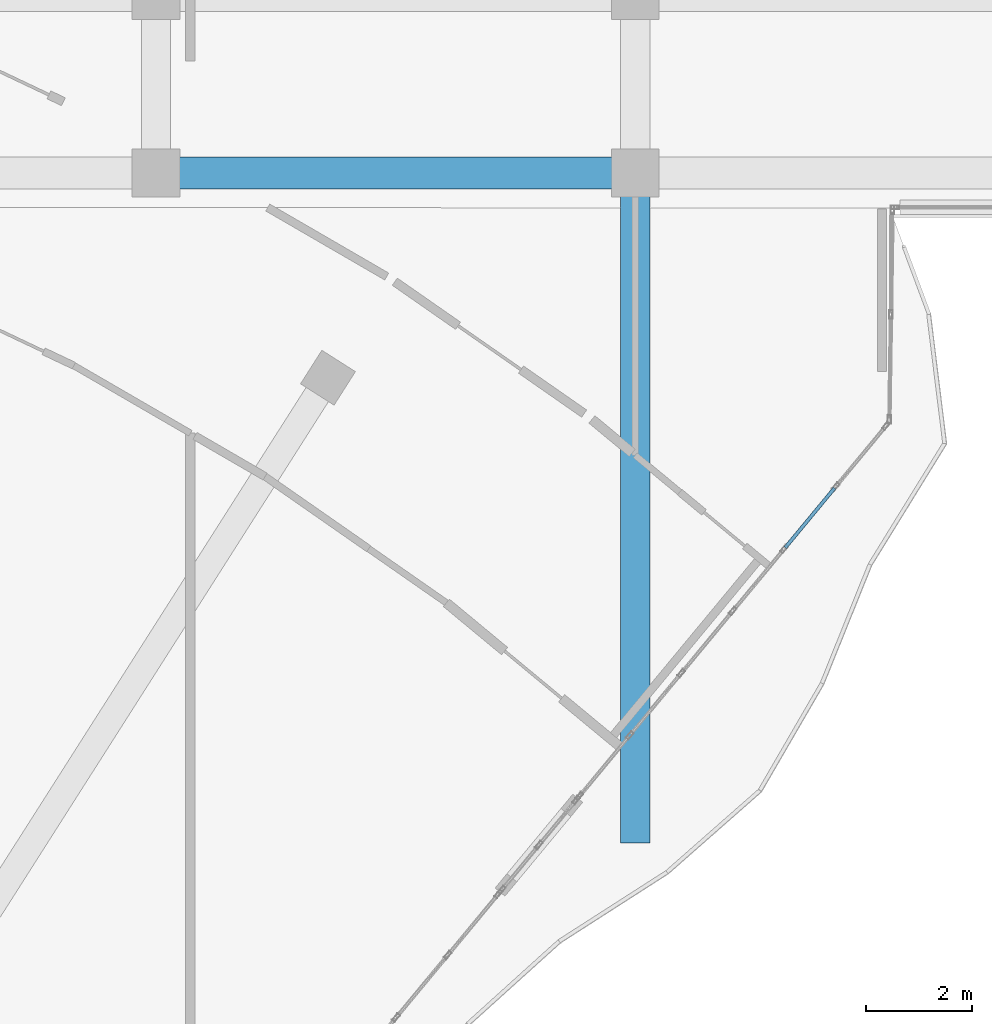
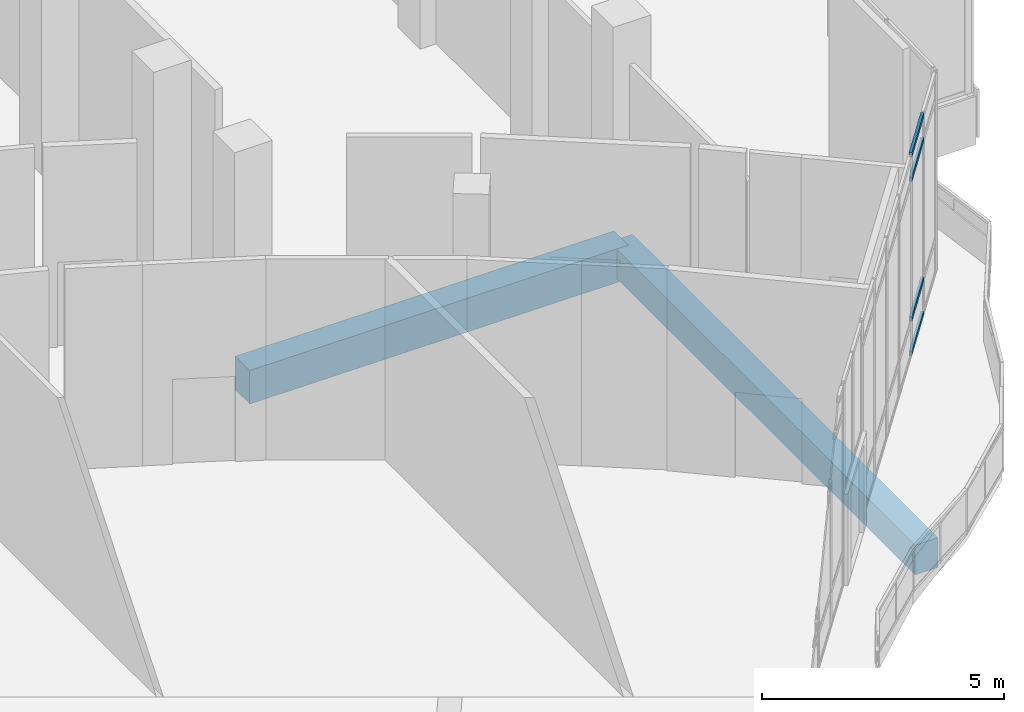
# One storey, part 101 of 158: 4 members, 2 beams, 1 element without a shape of its own.
"""IFC4 building model written with IfcOpenShell, lengths in metres."""

import ifcopenshell
import ifcopenshell.guid

model = None  # the IFC model being written
_history = None  # IfcOwnerHistory: only IFC2X3 demands one
_inside = {}  # id of a spatial element -> (the spatial element, [elements in it])
_under = {}  # id of a project, library or spatial element -> (it, [spatial elements below it])
_declared = {}  # id of a project -> (the project, [libraries it declares])
_typed = {}  # id of a type object -> (the type object, [elements of that type])
_made_of = {}  # id of a material, layer set ... -> (it, [elements and type objects made of it])


def new_model(schema):
    """Start an empty IFC model of exactly this schema.

    Asked for "IFC4X3", IfcOpenShell would pick the latest addendum, in which some entities
    have other attributes; the version numbers below select the first issue.
    IFC2X3 requires an IfcOwnerHistory on every rooted entity: one is made here for all.
    """
    global model, _history
    if schema == "IFC4X3":
        model = ifcopenshell.file(schema_version=(4, 3, 0, 0))
    else:
        model = ifcopenshell.file(schema=schema)
    _inside.clear()
    _under.clear()
    _declared.clear()
    _typed.clear()
    _made_of.clear()
    _history = None
    if model.schema == "IFC2X3":
        org = make("IfcOrganization", Name="unknown")
        user = make(
            "IfcPersonAndOrganization",
            ThePerson=make("IfcPerson", FamilyName="unknown"),
            TheOrganization=org,
        )
        app = make(
            "IfcApplication",
            ApplicationDeveloper=org,
            Version="unknown",
            ApplicationFullName="unknown",
            ApplicationIdentifier="unknown",
        )
        _history = make(
            "IfcOwnerHistory",
            OwningUser=user,
            OwningApplication=app,
            ChangeAction="ADDED",
            CreationDate=0,
        )
    return model


def make(cls, **values):
    """One entity of the class cls with the attributes given. An attribute that is None is left unset."""
    return model.create_entity(
        cls, **{name: value for name, value in values.items() if value is not None}
    )


def rooted(cls, **values):
    """An entity with a GlobalId (a new one), such as an element, a storey or a relation."""
    return make(cls, GlobalId=ifcopenshell.guid.new(), OwnerHistory=_history, **values)


def si_unit(unit_type, name, prefix=None):
    """IfcSIUnit, for example si_unit("LENGTHUNIT", "METRE", prefix="MILLI")."""
    return make("IfcSIUnit", UnitType=unit_type, Prefix=prefix, Name=name)


def assignment(units):
    """IfcUnitAssignment: the units of a project."""
    return None if units is None else make("IfcUnitAssignment", Units=units)


def point(xyz):
    """IfcCartesianPoint."""
    return None if xyz is None else make("IfcCartesianPoint", Coordinates=xyz)


def direction(xyz):
    """IfcDirection."""
    return None if xyz is None else make("IfcDirection", DirectionRatios=xyz)


def frame(location, z_axis=None, x_axis=None):
    """IfcAxis2Placement3D, a coordinate frame: its origin and axes. An axis left out is left unset."""
    return make(
        "IfcAxis2Placement3D",
        Location=point(location),
        Axis=direction(z_axis),
        RefDirection=direction(x_axis),
    )


def frame_2d(location, x_axis=None):
    """IfcAxis2Placement2D, a coordinate frame in the plane: its origin and x axis."""
    return make(
        "IfcAxis2Placement2D", Location=point(location), RefDirection=direction(x_axis)
    )


def origin():
    """The frame at (0, 0, 0) with its axes left unset."""
    return frame((0.0, 0.0, 0.0))


def origin_2d():
    """The frame at (0, 0) in the plane with its x axis left unset."""
    return frame_2d((0.0, 0.0))


def place(relative_to, where):
    """IfcLocalPlacement: puts the frame where relative to a parent placement (None: the world)."""
    return make(
        "IfcLocalPlacement", PlacementRelTo=relative_to, RelativePlacement=where
    )


def context(
    kind, dimensions, precision=None, world=None, true_north=None, identifier=None
):
    """IfcGeometricRepresentationContext, for example the 3D "Model" context."""
    return make(
        "IfcGeometricRepresentationContext",
        ContextIdentifier=identifier,
        ContextType=kind,
        CoordinateSpaceDimension=dimensions,
        Precision=precision,
        WorldCoordinateSystem=world,
        TrueNorth=true_north,
    )


def subcontext(parent, identifier, kind, view, scale=None):
    """IfcGeometricRepresentationSubContext, for example "Body" below "Model"."""
    return make(
        "IfcGeometricRepresentationSubContext",
        ContextIdentifier=identifier,
        ContextType=kind,
        ParentContext=parent,
        TargetScale=scale,
        TargetView=view,
    )


def project(units=None, contexts=None):
    """IfcProject with its units and contexts."""
    return rooted(
        "IfcProject",
        Name="project",
        RepresentationContexts=contexts,
        UnitsInContext=assignment(units),
    )


def spatial(cls, under=None, at=None, **own):
    """A site, building, storey or space (cls), placed at a placement, below another one or the project."""
    s = rooted(cls, ObjectPlacement=at, **own)
    if under is not None:
        _under.setdefault(under.id(), (under, []))[1].append(s)
    return s


def profile(cls, at=None, kind="AREA", **sizes):
    """A parametric profile (cls). Its sizes go by their IFC names, for example OverallWidth=200.0."""
    return make(cls, ProfileType=kind, Position=at, **sizes)


def rectangle(**sizes):
    """IfcRectangleProfileDef."""
    return profile("IfcRectangleProfileDef", **sizes)


def hollow_rectangle(**sizes):
    """IfcRectangleHollowProfileDef."""
    return profile("IfcRectangleHollowProfileDef", **sizes)


def extrude(swept, where, along, depth):
    """IfcExtrudedAreaSolid: the profile swept, set in the frame where, extruded along a direction by depth."""
    return make(
        "IfcExtrudedAreaSolid",
        SweptArea=swept,
        Position=where,
        ExtrudedDirection=direction(along),
        Depth=depth,
    )


def shape(context_of_items, identifier, shape_type, items):
    """IfcShapeRepresentation: the items that make up one representation, for example the "Body"."""
    return make(
        "IfcShapeRepresentation",
        ContextOfItems=context_of_items,
        RepresentationIdentifier=identifier,
        RepresentationType=shape_type,
        Items=items,
    )


def material(Name=None, Category=None):
    """IfcMaterial."""
    return make("IfcMaterial", Name=Name, Category=Category)


def material_profile(
    of_material, cross_section, Name=None, Category=None, Priority=None
):
    """IfcMaterialProfile: a cross section and its material."""
    return make(
        "IfcMaterialProfile",
        Name=Name,
        Material=of_material,
        Profile=cross_section,
        Priority=Priority,
        Category=Category,
    )


def profile_set(profiles, Name=None, composite=None):
    """IfcMaterialProfileSet."""
    return make(
        "IfcMaterialProfileSet",
        Name=Name,
        MaterialProfiles=profiles,
        CompositeProfile=composite,
    )


def made_of(thing, what):
    """Note that an element or type object is made of a material, layer set ...; save() writes the relation."""
    if what is not None:
        _made_of.setdefault(what.id(), (what, []))[1].append(thing)
    return thing


def type_object(cls, material=None, **own):
    """A type object (cls), such as IfcWallType, which elements share."""
    return made_of(rooted(cls, **own), material)


def element(
    cls,
    number,
    at=None,
    inside=None,
    cuts=None,
    type_object=None,
    material=None,
    context=None,
    identifier="Body",
    shape_type=None,
    held_by="IfcProductDefinitionShape",
    body=None,
    shapes=None,
    **own,
):
    """One element of the class cls, such as IfcWall. Its Tag is "e" and its number.

    at: its placement. inside: the storey or other place that contains it. cuts: it is an
    opening in that element (IfcRelVoidsElement). A single representation is given by context,
    identifier, shape_type and body (its items); several are given by shapes. held_by: the class
    of the entity that holds the representations. save() writes the other relations.
    """
    e = rooted(cls, Tag="e%d" % number, ObjectPlacement=at, **own)
    if body is not None:
        shapes = [shape(context, identifier, shape_type, body)]
    if shapes is not None:
        e.Representation = make(held_by, Representations=shapes)
    if inside is not None:
        _inside.setdefault(inside.id(), (inside, []))[1].append(e)
    if cuts is not None:
        rooted(
            "IfcRelVoidsElement", RelatingBuildingElement=cuts, RelatedOpeningElement=e
        )
    if type_object is not None:
        _typed.setdefault(type_object.id(), (type_object, []))[1].append(e)
    return made_of(e, material)


def aggregate(whole, parts):
    """IfcRelAggregates: a whole, such as a stair, and the parts it consists of."""
    return rooted("IfcRelAggregates", RelatingObject=whole, RelatedObjects=parts)


def save(model, path):
    """Write the relations noted so far, then the file.

    IfcRelAggregates (storeys below a building ...), IfcRelContainedInSpatialStructure (elements
    in a storey), IfcRelDefinesByType, IfcRelAssociatesMaterial and IfcRelDeclares: one each for
    every whole, place, type object, material and project.
    """
    for whole, parts in _under.values():
        aggregate(whole, parts)
    for where, things in _inside.values():
        rooted(
            "IfcRelContainedInSpatialStructure",
            RelatedElements=things,
            RelatingStructure=where,
        )
    for kind, things in _typed.values():
        rooted("IfcRelDefinesByType", RelatedObjects=things, RelatingType=kind)
    for what, things in _made_of.values():
        rooted("IfcRelAssociatesMaterial", RelatedObjects=things, RelatingMaterial=what)
    for by, libraries in _declared.values():
        rooted("IfcRelDeclares", RelatingContext=by, RelatedDefinitions=libraries)
    model.write(path)


model = new_model("IFC4")

# Units and contexts
model_context = context("Model", 3, precision=1e-05, world=origin(), true_north=direction((0.0, 1.0)))
body_context = subcontext(model_context, "Body", "Model", "MODEL_VIEW")
ifc_project = project(units=[si_unit("LENGTHUNIT", "METRE"), si_unit("AREAUNIT", "SQUARE_METRE"), si_unit("VOLUMEUNIT", "CUBIC_METRE"), si_unit("PLANEANGLEUNIT", "RADIAN"), si_unit("MASSUNIT", "GRAM", prefix="KILO")], contexts=[model_context])

# Site, building, storey
site_placement = place(None, origin())
site = spatial("IfcSite", under=ifc_project, at=site_placement, CompositionType="ELEMENT")
building_placement = place(site_placement, origin())
building = spatial("IfcBuilding", under=site, at=building_placement, Name="Selatvlak General Hospital", CompositionType="ELEMENT")
storey_placement = place(building_placement, origin())
storey = spatial("IfcBuildingStorey", under=building, at=storey_placement, Name="L00", CompositionType="ELEMENT", Elevation=0.0)

# Beams
ifc_material_1 = material(Name="Concrete C40/50", Category="concrete")
ifc_material_profile_1 = material_profile(ifc_material_1, rectangle(XDim=0.60009765625, YDim=0.85009765625, at=origin_2d()), Name="RC-BM 600x850")
ifc_profile_set_1 = profile_set([ifc_material_profile_1], Name="Concrete C40/50")
beam_type_1 = type_object("IfcBeamType", Name="BM-G01", PredefinedType="BEAM", material=ifc_profile_set_1)
beam_1_placement = place(storey_placement, frame((164.949951171875, 64.64990234375, -0.77490234375), z_axis=(1.0, 0.0, 0.0), x_axis=(0.0, 1.0, 0.0)))
element("IfcBeam", 1, at=beam_1_placement, inside=storey, type_object=beam_type_1, Name="Beam BMR-L00-0011", PredefinedType="BEAM", context=body_context, shape_type="SweptSolid", body=[
    extrude(rectangle(XDim=0.60009765625, YDim=0.85009765625, at=origin_2d()), origin(), (0.0, 0.0, 1.0), 9.050048828125),
])
ifc_material_profile_2 = material_profile(ifc_material_1, rectangle(XDim=0.550048828125, YDim=0.75, at=origin_2d()), Name="RC-BM 550x750")
ifc_profile_set_2 = profile_set([ifc_material_profile_2], Name="Concrete C40/50")
beam_type_2 = type_object("IfcBeamType", Name="BM-G02", PredefinedType="BEAM", material=ifc_profile_set_2)
beam_2_placement = place(storey_placement, frame((174.0, 52.0, -0.72509765625), z_axis=(0.0, 1.0, 0.0), x_axis=(-1.0, 0.0, 0.0)))
element("IfcBeam", 2, at=beam_2_placement, inside=storey, type_object=beam_type_2, Name="Beam BMR-L00-0292", PredefinedType="BEAM", context=body_context, shape_type="SweptSolid", body=[
    extrude(rectangle(XDim=0.550048828125, YDim=0.75, at=origin_2d()), origin(), (0.0, 0.0, 1.0), 12.64990234375),
])

# Curtain wall, members
ifc_material_2 = material(Name="Solar-control Low-E double glazing", Category="glass")
curtain_wall_type = type_object("IfcCurtainWallType", Name="CW-CW-01", PredefinedType="USERDEFINED", material=ifc_material_2)
curtain_wall_placement = place(storey_placement, origin())
curtain_wall = element("IfcCurtainWall", 3, at=curtain_wall_placement, inside=storey, type_object=curtain_wall_type, Name="Glazed facade curtain wall CW-L00-0021", ObjectType="UNITISED CURTAIN WALL", PredefinedType="USERDEFINED")
ifc_material_3 = material(Name="Dark anodised aluminium mullion", Category="aluminium")
ifc_material_profile_3 = material_profile(ifc_material_3, hollow_rectangle(XDim=0.06494140625, YDim=0.1201171875, WallThickness=0.00390625, at=origin_2d()), Name="AL-TRN 65x120x4")
ifc_profile_set_3 = profile_set([ifc_material_profile_3], Name="Dark anodised aluminium mullion")
member_type = type_object("IfcMemberType", Name="CWT-01", PredefinedType="USERDEFINED", material=ifc_profile_set_3)
member_1_placement = place(storey_placement, frame((177.76513671875, 58.69970703125, 0.032470703125), z_axis=(-0.637745740525, -0.770246954192, 0.0), x_axis=(0.770246954192, -0.637745740525, 0.0)))
member_1 = element("IfcMember", 4, at=member_1_placement, type_object=member_type, Name="CW-01 transom 2.1", ObjectType="TRANSOM", PredefinedType="USERDEFINED", context=body_context, shape_type="SweptSolid", body=[
    extrude(hollow_rectangle(XDim=0.06494140625, YDim=0.1201171875, WallThickness=0.00390625, at=origin_2d()), origin(), (0.0, 0.0, 1.0), 1.459228515625),
])
member_2_placement = place(storey_placement, frame((177.76513671875, 58.69970703125, 0.89990234375), z_axis=(-0.637745740525, -0.770246954192, 0.0), x_axis=(0.770246954192, -0.637745740525, 0.0)))
member_2 = element("IfcMember", 5, at=member_2_placement, type_object=member_type, Name="CW-01 transom 2.2", ObjectType="TRANSOM", PredefinedType="USERDEFINED", context=body_context, shape_type="SweptSolid", body=[
    extrude(hollow_rectangle(XDim=0.06494140625, YDim=0.1201171875, WallThickness=0.00390625, at=origin_2d()), origin(), (0.0, 0.0, 1.0), 1.459228515625),
])
member_3_placement = place(storey_placement, frame((177.76513671875, 58.69970703125, 4.429931640625), z_axis=(-0.637745740525, -0.770246954192, 0.0), x_axis=(0.770246954192, -0.637745740525, 0.0)))
member_3 = element("IfcMember", 6, at=member_3_placement, type_object=member_type, Name="CW-01 transom 2.3", ObjectType="TRANSOM", PredefinedType="USERDEFINED", context=body_context, shape_type="SweptSolid", body=[
    extrude(hollow_rectangle(XDim=0.06494140625, YDim=0.1201171875, WallThickness=0.00390625, at=origin_2d()), origin(), (0.0, 0.0, 1.0), 1.459228515625),
])
member_4_placement = place(storey_placement, frame((177.76513671875, 58.69970703125, 5.047607421875), z_axis=(-0.637745740525, -0.770246954192, 0.0), x_axis=(0.770246954192, -0.637745740525, 0.0)))
member_4 = element("IfcMember", 7, at=member_4_placement, type_object=member_type, Name="CW-01 transom 2.4", ObjectType="TRANSOM", PredefinedType="USERDEFINED", context=body_context, shape_type="SweptSolid", body=[
    extrude(hollow_rectangle(XDim=0.06494140625, YDim=0.1201171875, WallThickness=0.00390625, at=origin_2d()), origin(), (0.0, 0.0, 1.0), 1.459228515625),
])
aggregate(curtain_wall, [member_1, member_2, member_3, member_4])

save(model, "model.ifc")
